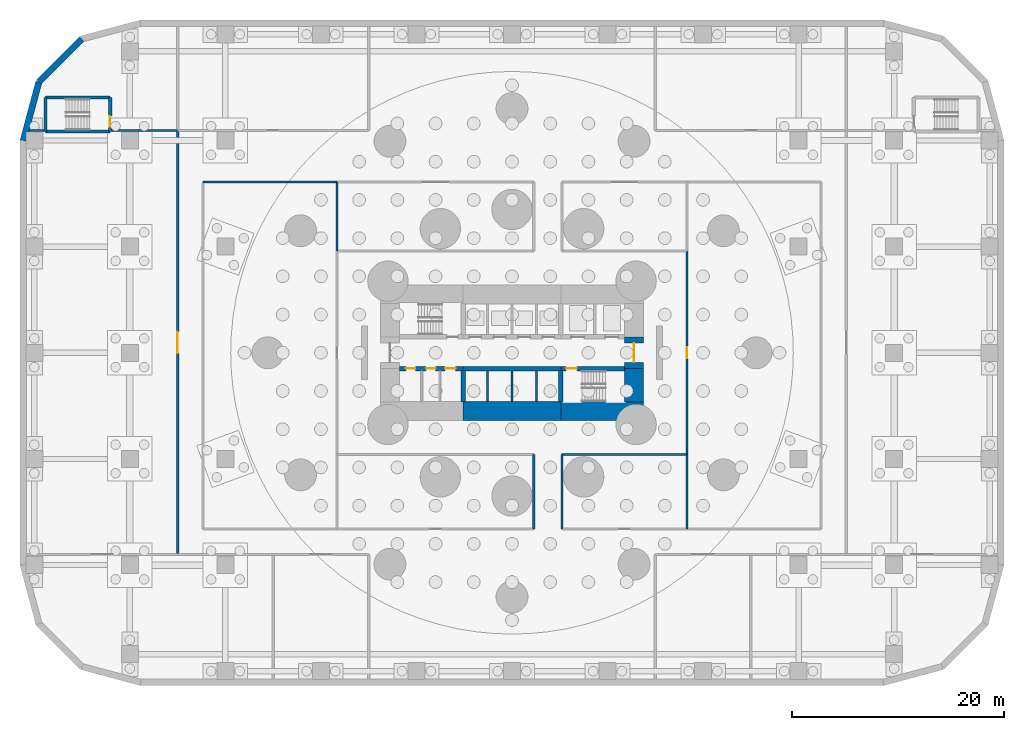
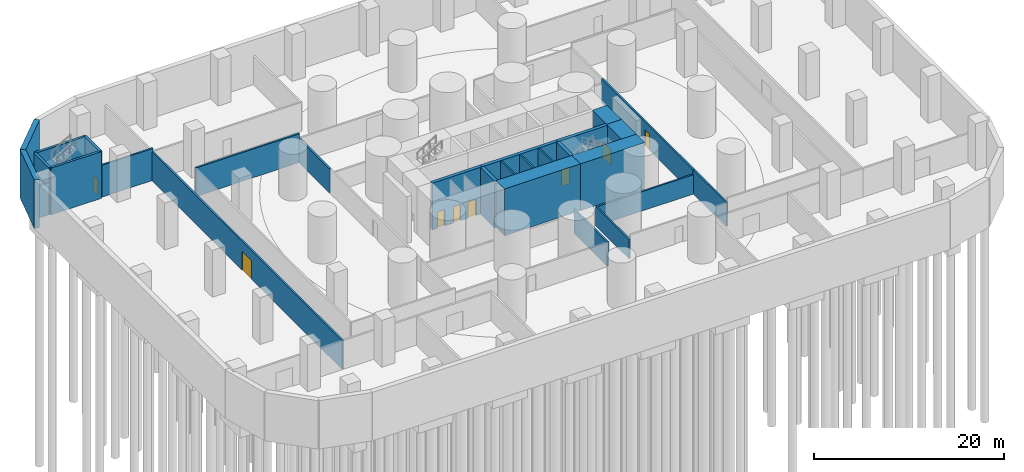
# One storey, part 5 of 10: 28 walls, 8 doors, 8 openings.
"""IFC4 building model written with IfcOpenShell, lengths in metres."""

from ifc_helpers import new_model, si_unit, direction, frame, frame_2d, origin, place, context, subcontext, project, spatial, rectangle, extrude, material, layer, layer_set, type_object, element, fill, save


model = new_model("IFC4")

# Units and contexts
model_context = context("Model", 3, precision=1e-05, world=origin(), true_north=direction((0.0, 1.0)))
body_context = subcontext(model_context, "Body", "Model", "MODEL_VIEW")
ifc_project = project(units=[si_unit("LENGTHUNIT", "METRE"), si_unit("AREAUNIT", "SQUARE_METRE"), si_unit("VOLUMEUNIT", "CUBIC_METRE"), si_unit("PLANEANGLEUNIT", "RADIAN"), si_unit("MASSUNIT", "GRAM", prefix="KILO")], contexts=[model_context])

# Site, building, storey
site_placement = place(None, origin())
site = spatial("IfcSite", under=ifc_project, at=site_placement, CompositionType="ELEMENT")
building_placement = place(site_placement, origin())
building = spatial("IfcBuilding", under=site, at=building_placement, Name="Qaws Media Tower", CompositionType="ELEMENT")
storey_placement = place(building_placement, frame((0.0, 0.0, -6.0)))
storey = spatial("IfcBuildingStorey", under=building, at=storey_placement, Name="B1", CompositionType="ELEMENT", Elevation=-6.0)

# Wall, openings, doors
ifc_material_1 = material(Name="Concrete C60/75", Category="concrete")
ifc_layer_1 = layer(ifc_material_1, 0.39990234375)
ifc_layer_set_1 = layer_set([ifc_layer_1], Name="Core inner wall 400")
wall_type_1 = type_object("IfcWallType", Name="Core inner wall 400", PredefinedType="SHEAR", material=ifc_layer_set_1)
wall_1_placement = place(storey_placement, frame((49.3798828125, 48.5, 0.0), z_axis=(0.0, 0.0, 1.0), x_axis=(1.0, 0.0, 0.0)))
wall_1 = element("IfcWall", 1, at=wall_1_placement, inside=storey, type_object=wall_type_1, Name="W310 SW4 core wall SPSW B1", PredefinedType="SHEAR", context=body_context, shape_type="SweptSolid", body=[
    extrude(rectangle(XDim=6.02001953125, YDim=0.39990234375, at=frame_2d((3.010009765625, 0.0))), origin(), (0.0, 0.0, 1.0), 6.0),
])
opening_1_placement = place(wall_1_placement, frame((0.6201171875, 0.0, 0.0)))
opening_1 = element("IfcOpeningElement", 2, at=opening_1_placement, cuts=wall_1, Name="Opening D3", PredefinedType="OPENING", context=body_context, shape_type="SweptSolid", body=[
    extrude(rectangle(XDim=0.89990234375, YDim=2.10009765625, at=frame_2d((0.449951171875, 1.050048828125))), frame((0.0, 0.2099609375, 0.0), z_axis=(0.0, -1.0, 0.0), x_axis=(1.0, 0.0, 0.0)), (0.0, 0.0, 1.0), 0.419921875),
])
opening_2_placement = place(wall_1_placement, frame((2.52001953125, 0.0, 0.0)))
opening_2 = element("IfcOpeningElement", 3, at=opening_2_placement, cuts=wall_1, Name="Opening D3", PredefinedType="OPENING", context=body_context, shape_type="SweptSolid", body=[
    extrude(rectangle(XDim=0.89990234375, YDim=2.10009765625, at=frame_2d((0.449951171875, 1.050048828125))), frame((0.0, 0.2099609375, 0.0), z_axis=(0.0, -1.0, 0.0), x_axis=(1.0, 0.0, 0.0)), (0.0, 0.0, 1.0), 0.419921875),
])
opening_3_placement = place(wall_1_placement, frame((4.320068359375, 0.0, 0.0)))
opening_3 = element("IfcOpeningElement", 4, at=opening_3_placement, cuts=wall_1, Name="Opening D4", PredefinedType="OPENING", context=body_context, shape_type="SweptSolid", body=[
    extrude(rectangle(XDim=1.0, YDim=2.10009765625, at=frame_2d((0.5, 1.050048828125))), frame((0.0, 0.2099609375, 0.0), z_axis=(0.0, -1.0, 0.0), x_axis=(1.0, 0.0, 0.0)), (0.0, 0.0, 1.0), 0.419921875),
])
ifc_material_2 = material(Name="Timber veneered", Category="wood")
door_type_1 = type_object("IfcDoorType", Name="Accessible WC door 1000", OperationType="SLIDING_TO_LEFT", PredefinedType="DOOR", material=ifc_material_2)
door_1_placement = place(opening_3_placement, origin())
door_1 = element("IfcDoor", 5, at=door_1_placement, inside=storey, type_object=door_type_1, Name="D4 toilet door 3 B1 in wall W310", OperationType="SLIDING_TO_LEFT", OverallHeight=2.10009765625, OverallWidth=1.0, PredefinedType="DOOR", context=body_context, shape_type="SweptSolid", body=[
    extrude(rectangle(XDim=1.0, YDim=2.10009765625, at=frame_2d((0.5, 1.050048828125))), frame((0.0, 0.02490234375, 0.0), z_axis=(0.0, -1.0, 0.0), x_axis=(1.0, 0.0, 0.0)), (0.0, 0.0, 1.0), 0.050048828125),
])
fill(opening_3, door_1)
ifc_material_3 = material(Name="Timber veneered", Category="wood")
door_type_2 = type_object("IfcDoorType", Name="Toilet door 900", OperationType="SINGLE_SWING_RIGHT", PredefinedType="DOOR", material=ifc_material_3)
door_2_placement = place(opening_1_placement, origin())
door_2 = element("IfcDoor", 6, at=door_2_placement, inside=storey, type_object=door_type_2, Name="D3 toilet door 1 B1 in wall W310", OperationType="SINGLE_SWING_RIGHT", OverallHeight=2.10009765625, OverallWidth=0.89990234375, PredefinedType="DOOR", context=body_context, shape_type="SweptSolid", body=[
    extrude(rectangle(XDim=0.89990234375, YDim=2.10009765625, at=frame_2d((0.449951171875, 1.050048828125))), frame((0.0, 0.02490234375, 0.0), z_axis=(0.0, -1.0, 0.0), x_axis=(1.0, 0.0, 0.0)), (0.0, 0.0, 1.0), 0.050048828125),
])
fill(opening_1, door_2)
door_3_placement = place(opening_2_placement, origin())
door_3 = element("IfcDoor", 7, at=door_3_placement, inside=storey, type_object=door_type_2, Name="D3 toilet door 2 B1 in wall W310", OperationType="SINGLE_SWING_RIGHT", OverallHeight=2.10009765625, OverallWidth=0.89990234375, PredefinedType="DOOR", context=body_context, shape_type="SweptSolid", body=[
    extrude(rectangle(XDim=0.89990234375, YDim=2.10009765625, at=frame_2d((0.449951171875, 1.050048828125))), frame((0.0, 0.02490234375, 0.0), z_axis=(0.0, -1.0, 0.0), x_axis=(1.0, 0.0, 0.0)), (0.0, 0.0, 1.0), 0.050048828125),
])
fill(opening_2, door_3)

# Wall
wall_2_placement = place(storey_placement, frame((55.39990234375, 48.5, 0.0), z_axis=(0.0, 0.0, 1.0), x_axis=(1.0, 0.0, 0.0)))
element("IfcWall", 8, at=wall_2_placement, inside=storey, type_object=wall_type_1, Name="W313 SW4 core wall SPS B1", PredefinedType="SHEAR", context=body_context, shape_type="SweptSolid", body=[
    extrude(rectangle(XDim=9.2001953125, YDim=0.39990234375, at=frame_2d((4.60009765625, 0.0))), origin(), (0.0, 0.0, 1.0), 6.0),
])

# Wall, opening, door
wall_3_placement = place(storey_placement, frame((64.60009765625, 48.5, 0.0), z_axis=(0.0, 0.0, 1.0), x_axis=(1.0, 0.0, 0.0)))
wall_3 = element("IfcWall", 9, at=wall_3_placement, inside=storey, type_object=wall_type_1, Name="W317 SW4 core wall SPSE B1", PredefinedType="SHEAR", context=body_context, shape_type="SweptSolid", body=[
    extrude(rectangle(XDim=6.02001953125, YDim=0.39990234375, at=frame_2d((3.010009765625, 0.0))), origin(), (0.0, 0.0, 1.0), 6.0),
])
opening_4_placement = place(wall_3_placement, frame((0.5, 0.0, 0.0)))
opening_4 = element("IfcOpeningElement", 10, at=opening_4_placement, cuts=wall_3, Name="Opening D1", PredefinedType="OPENING", context=body_context, shape_type="SweptSolid", body=[
    extrude(rectangle(XDim=1.0, YDim=2.10009765625, at=frame_2d((0.5, 1.050048828125))), frame((0.0, 0.2099609375, 0.0), z_axis=(0.0, -1.0, 0.0), x_axis=(1.0, 0.0, 0.0)), (0.0, 0.0, 1.0), 0.419921875),
])
ifc_material_4 = material(Name="Steel, fire rated", Category="steel")
door_type_3 = type_object("IfcDoorType", Name="Stair door 1000 FD120", OperationType="SINGLE_SWING_LEFT", PredefinedType="DOOR", material=ifc_material_4)
door_4_placement = place(opening_4_placement, origin())
door_4 = element("IfcDoor", 11, at=door_4_placement, inside=storey, type_object=door_type_3, Name="D1 stair S2 door B1 in wall W317", OperationType="SINGLE_SWING_LEFT", OverallHeight=2.10009765625, OverallWidth=1.0, PredefinedType="DOOR", context=body_context, shape_type="SweptSolid", body=[
    extrude(rectangle(XDim=1.0, YDim=2.10009765625, at=frame_2d((0.5, 1.050048828125))), frame((0.0, 0.02490234375, 0.0), z_axis=(0.0, -1.0, 0.0), x_axis=(1.0, 0.0, 0.0)), (0.0, 0.0, 1.0), 0.050048828125),
])
fill(opening_4, door_4)

# Walls
for number, where, z_axis, x_axis, name in (
    (12, (55.39990234375, 48.320068359375, 0.0), (0.0, 0.0, 1.0), (0.0, -1.0, 0.0), "W312 SW4 core wall XSW B1"),
    (13, (64.60009765625, 48.320068359375, 0.0), (0.0, 0.0, 1.0), (0.0, -1.0, 0.0), "W316 SW4 core wall XSE B1"),
):
    element("IfcWall", number, at=place(storey_placement, frame(where, z_axis=z_axis, x_axis=x_axis)), inside=storey, type_object=wall_type_1, Name=name, PredefinedType="SHEAR", context=body_context, shape_type="SweptSolid", body=[
        extrude(rectangle(XDim=2.940185546875, YDim=0.39990234375, at=frame_2d((1.47021484375, 0.0))), origin(), (0.0, 0.0, 1.0), 6.0),
    ])
ifc_material_5 = material(Name="Concrete C60/75", Category="concrete")
ifc_layer_2 = layer(ifc_material_5, 1.800048828125)
ifc_layer_set_2 = layer_set([ifc_layer_2], Name="Core wall 1800")
wall_type_2 = type_object("IfcWallType", Name="Core wall 1800", PredefinedType="SHEAR", material=ifc_layer_set_2)
wall_4_placement = place(storey_placement, frame((55.39990234375, 44.5, 0.0), z_axis=(0.0, 0.0, 1.0), x_axis=(1.0, 0.0, 0.0)))
element("IfcWall", 14, at=wall_4_placement, inside=storey, type_object=wall_type_2, Name="W403 SW11 core wall S B1", PredefinedType="SHEAR", context=body_context, shape_type="SweptSolid", body=[
    extrude(rectangle(XDim=9.2001953125, YDim=1.800048828125, at=frame_2d((4.60009765625, 0.0))), origin(), (0.0, 0.0, 1.0), 6.0),
])
wall_5_placement = place(storey_placement, frame((64.60009765625, 44.5, 0.0), z_axis=(0.0, 0.0, 1.0), x_axis=(1.0, 0.0, 0.0)))
element("IfcWall", 15, at=wall_5_placement, inside=storey, type_object=wall_type_2, Name="W405 SW11 core wall SE B1", PredefinedType="SHEAR", context=body_context, shape_type="SweptSolid", body=[
    extrude(rectangle(XDim=7.7998046875, YDim=1.800048828125, at=frame_2d((3.89990234375, 0.0))), origin(), (0.0, 0.0, 1.0), 6.0),
])
wall_6_placement = place(storey_placement, frame((71.5, 45.3798828125, 0.0), z_axis=(0.0, 0.0, 1.0), x_axis=(0.0, 1.0, 0.0)))
element("IfcWall", 16, at=wall_6_placement, inside=storey, type_object=wall_type_2, Name="W407 SW11 core wall ES B1", PredefinedType="SHEAR", context=body_context, shape_type="SweptSolid", body=[
    extrude(rectangle(XDim=3.1201171875, YDim=1.800048828125, at=frame_2d((1.56005859375, 0.0))), origin(), (0.0, 0.0, 1.0), 6.0),
])

# Wall, opening, door
wall_7_placement = place(storey_placement, frame((71.5, 48.5, 0.0), z_axis=(0.0, 0.0, 1.0), x_axis=(0.0, 1.0, 0.0)))
wall_7 = element("IfcWall", 17, at=wall_7_placement, inside=storey, type_object=wall_type_2, Name="W408 SW11 core wall E B1", PredefinedType="SHEAR", context=body_context, shape_type="SweptSolid", body=[
    extrude(rectangle(XDim=3.0, YDim=1.800048828125, at=frame_2d((1.5, 0.0))), origin(), (0.0, 0.0, 1.0), 6.0),
])
opening_5_placement = place(wall_7_placement, frame((0.60009765625, 0.0, 0.0)))
opening_5 = element("IfcOpeningElement", 18, at=opening_5_placement, cuts=wall_7, Name="Opening D2", PredefinedType="OPENING", context=body_context, shape_type="SweptSolid", body=[
    extrude(rectangle(XDim=1.800048828125, YDim=2.10009765625, at=frame_2d((0.89990234375, 1.050048828125))), frame((0.0, 0.909912109375, 0.0), z_axis=(0.0, -1.0, 0.0), x_axis=(1.0, 0.0, 0.0)), (0.0, 0.0, 1.0), 1.820068359375),
])
ifc_material_6 = material(Name="Steel and glass, fire rated", Category="steel")
door_type_4 = type_object("IfcDoorType", Name="Lobby door pair 1800 FD60", OperationType="DOUBLE_DOOR_DOUBLE_SWING", PredefinedType="DOOR", material=ifc_material_6)
door_5_placement = place(opening_5_placement, origin())
door_5 = element("IfcDoor", 19, at=door_5_placement, inside=storey, type_object=door_type_4, Name="D2 core lobby door E B1 in wall W408", OperationType="DOUBLE_DOOR_DOUBLE_SWING", OverallHeight=2.10009765625, OverallWidth=1.800048828125, PredefinedType="DOOR", context=body_context, shape_type="SweptSolid", body=[
    extrude(rectangle(XDim=1.800048828125, YDim=2.10009765625, at=frame_2d((0.89990234375, 1.050048828125))), frame((0.0, 0.02490234375, 0.0), z_axis=(0.0, -1.0, 0.0), x_axis=(1.0, 0.0, 0.0)), (0.0, 0.0, 1.0), 0.050048828125),
])
fill(opening_5, door_5)

ifc_material_7 = material(Name="215 dense concrete blockwork, fair faced", Category="masonry")
ifc_layer_3 = layer(ifc_material_7, 0.215087890625)
ifc_layer_set_3 = layer_set([ifc_layer_3], Name="Plant room blockwork wall 215")
wall_type_3 = type_object("IfcWallType", Name="Plant room blockwork wall 215", PredefinedType="PARTITIONING", material=ifc_layer_set_3)
wall_8_placement = place(storey_placement, frame((28.5, 31.0, 0.0), z_axis=(0.0, 0.0, 1.0), x_axis=(0.0, 1.0, 0.0)))
wall_8 = element("IfcWall", 20, at=wall_8_placement, inside=storey, type_object=wall_type_3, Name="W733 IW7 partition B1", PredefinedType="PARTITIONING", context=body_context, shape_type="SweptSolid", body=[
    extrude(rectangle(XDim=39.949951171875, YDim=0.215087890625, at=frame_2d((19.97509765625, 0.0))), origin(), (0.0, 0.0, 1.0), 3.679931640625),
])
opening_6_placement = place(wall_8_placement, frame((18.97509765625, 0.0, 0.0)))
opening_6 = element("IfcOpeningElement", 21, at=opening_6_placement, cuts=wall_8, Name="Opening D19", PredefinedType="OPENING", context=body_context, shape_type="SweptSolid", body=[
    extrude(rectangle(XDim=2.0, YDim=2.39990234375, at=frame_2d((1.0, 1.199951171875))), frame((0.0, 0.117431640625, 0.0), z_axis=(0.0, -1.0, 0.0), x_axis=(1.0, 0.0, 0.0)), (0.0, 0.0, 1.0), 0.235107421875),
])
ifc_material_8 = material(Name="Steel, fire rated, louvred", Category="steel")
door_type_5 = type_object("IfcDoorType", Name="Plant room door pair 2000x2400", OperationType="DOUBLE_DOOR_DOUBLE_SWING", PredefinedType="DOOR", material=ifc_material_8)
door_6_placement = place(opening_6_placement, origin())
door_6 = element("IfcDoor", 22, at=door_6_placement, inside=storey, type_object=door_type_5, Name="D19 Chilled water plant room door in wall W733", OperationType="DOUBLE_DOOR_DOUBLE_SWING", OverallHeight=2.39990234375, OverallWidth=2.0, PredefinedType="DOOR", context=body_context, shape_type="SweptSolid", body=[
    extrude(rectangle(XDim=2.0, YDim=2.39990234375, at=frame_2d((1.0, 1.199951171875))), frame((0.0, 0.02490234375, 0.0), z_axis=(0.0, -1.0, 0.0), x_axis=(1.0, 0.0, 0.0)), (0.0, 0.0, 1.0), 0.050048828125),
])
fill(opening_6, door_6)

# Walls
ifc_material_9 = material(Name="Concrete C60/75", Category="concrete")
ifc_layer_4 = layer(ifc_material_9, 0.60009765625)
ifc_layer_set_4 = layer_set([ifc_layer_4], Name="Retaining wall 600")
wall_type_4 = type_object("IfcWallType", Name="Retaining wall 600", PredefinedType="SOLIDWALL", material=ifc_layer_set_4)
wall_9_placement = place(storey_placement, frame((19.47509765625, 79.569580078125, -0.5), z_axis=(0.0, 0.0, 1.0), x_axis=(-0.707106781187, -0.707106781187, 0.0)))
element("IfcWall", 23, at=wall_9_placement, inside=storey, type_object=wall_type_4, Name="W800 RW1 retaining wall 10", PredefinedType="SOLIDWALL", context=body_context, shape_type="SweptSolid", body=[
    extrude(rectangle(XDim=5.719970703125, YDim=0.60009765625, at=frame_2d((2.85986328125, 0.0))), origin(), (0.0, 0.0, 1.0), 6.199951171875),
])
wall_10_placement = place(storey_placement, frame((15.430419921875, 75.52490234375, -0.5), z_axis=(0.0, 0.0, 1.0), x_axis=(-0.258831381584, -0.965922520654, 0.0)))
element("IfcWall", 24, at=wall_10_placement, inside=storey, type_object=wall_type_4, Name="W798 RW1 retaining wall 11", PredefinedType="SOLIDWALL", context=body_context, shape_type="SweptSolid", body=[
    extrude(rectangle(XDim=5.7197265625, YDim=0.60009765625, at=frame_2d((2.85986328125, 0.0))), origin(), (0.0, 0.0, 1.0), 6.199951171875),
])
ifc_material_10 = material(Name="Gypsum board on galvanised metal studs, acoustic double stud, deflection head", Category="gypsum")
ifc_layer_5 = layer(ifc_material_10, 0.199951171875)
ifc_layer_set_5 = layer_set([ifc_layer_5], Name="Room partition 200")
wall_type_5 = type_object("IfcWallType", Name="Room partition 200", PredefinedType="PARTITIONING", material=ifc_layer_set_5)
wall_11_placement = place(storey_placement, frame((43.5, 59.60009765625, 0.0), z_axis=(0.0, 0.0, 1.0), x_axis=(0.0, 1.0, 0.0)))
element("IfcWall", 25, at=wall_11_placement, inside=storey, type_object=wall_type_5, Name="W821 IW3 partition B1", PredefinedType="PARTITIONING", context=body_context, shape_type="SweptSolid", body=[
    extrude(rectangle(XDim=6.5, YDim=0.199951171875, at=frame_2d((3.25, 0.0))), origin(), (0.0, 0.0, 1.0), 3.080078125),
])
wall_12_placement = place(storey_placement, frame((62.050048828125, 33.39990234375, 0.0), z_axis=(0.0, 0.0, 1.0), x_axis=(0.0, 1.0, 0.0)))
element("IfcWall", 26, at=wall_12_placement, inside=storey, type_object=wall_type_5, Name="W824 IW3 partition B1", PredefinedType="PARTITIONING", context=body_context, shape_type="SweptSolid", body=[
    extrude(rectangle(XDim=7.0, YDim=0.199951171875, at=frame_2d((3.5, 0.0))), origin(), (0.0, 0.0, 1.0), 3.080078125),
])
wall_13_placement = place(storey_placement, frame((64.699951171875, 33.39990234375, 0.0), z_axis=(0.0, 0.0, 1.0), x_axis=(0.0, 1.0, 0.0)))
element("IfcWall", 27, at=wall_13_placement, inside=storey, type_object=wall_type_5, Name="W826 IW3 partition B1", PredefinedType="PARTITIONING", context=body_context, shape_type="SweptSolid", body=[
    extrude(rectangle(XDim=7.0, YDim=0.199951171875, at=frame_2d((3.5, 0.0))), origin(), (0.0, 0.0, 1.0), 2.47998046875),
])
wall_14_placement = place(storey_placement, frame((76.5, 33.39990234375, 0.0), z_axis=(0.0, 0.0, 1.0), x_axis=(0.0, 1.0, 0.0)))
element("IfcWall", 28, at=wall_14_placement, inside=storey, type_object=wall_type_5, Name="W833 IW3 partition B1", PredefinedType="PARTITIONING", context=body_context, shape_type="SweptSolid", body=[
    extrude(rectangle(XDim=7.0, YDim=0.199951171875, at=frame_2d((3.5, 0.0))), origin(), (0.0, 0.0, 1.0), 3.080078125),
])

# Wall, opening, door
wall_15_placement = place(storey_placement, frame((76.5, 40.39990234375, 0.0), z_axis=(0.0, 0.0, 1.0), x_axis=(0.0, 1.0, 0.0)))
wall_15 = element("IfcWall", 29, at=wall_15_placement, inside=storey, type_object=wall_type_5, Name="W835 IW3 partition B1", PredefinedType="PARTITIONING", context=body_context, shape_type="SweptSolid", body=[
    extrude(rectangle(XDim=19.2001953125, YDim=0.199951171875, at=frame_2d((9.60009765625, 0.0))), origin(), (0.0, 0.0, 1.0), 3.080078125),
])
opening_7_placement = place(wall_15_placement, frame((9.10009765625, 0.0, 0.0)))
opening_7 = element("IfcOpeningElement", 30, at=opening_7_placement, cuts=wall_15, Name="Opening D5", PredefinedType="OPENING", context=body_context, shape_type="SweptSolid", body=[
    extrude(rectangle(XDim=1.0, YDim=2.10009765625, at=frame_2d((0.5, 1.050048828125))), frame((0.0, 0.10986328125, 0.0), z_axis=(0.0, -1.0, 0.0), x_axis=(1.0, 0.0, 0.0)), (0.0, 0.0, 1.0), 0.219970703125),
])
ifc_material_11 = material(Name="Timber veneered, acoustic seal", Category="wood")
door_type_6 = type_object("IfcDoorType", Name="Room door 1000", OperationType="SINGLE_SWING_LEFT", PredefinedType="DOOR", material=ifc_material_11)
door_7_placement = place(opening_7_placement, origin())
door_7 = element("IfcDoor", 31, at=door_7_placement, inside=storey, type_object=door_type_6, Name="D5 Media archive door in wall W835", OperationType="SINGLE_SWING_LEFT", OverallHeight=2.10009765625, OverallWidth=1.0, PredefinedType="DOOR", context=body_context, shape_type="SweptSolid", body=[
    extrude(rectangle(XDim=1.0, YDim=2.10009765625, at=frame_2d((0.5, 1.050048828125))), frame((0.0, 0.02490234375, 0.0), z_axis=(0.0, -1.0, 0.0), x_axis=(1.0, 0.0, 0.0)), (0.0, 0.0, 1.0), 0.050048828125),
])
fill(opening_7, door_7)

# Walls
wall_16_placement = place(storey_placement, frame((64.699951171875, 40.39990234375, 0.0), z_axis=(0.0, 0.0, 1.0), x_axis=(1.0, 0.0, 0.0)))
element("IfcWall", 32, at=wall_16_placement, inside=storey, type_object=wall_type_5, Name="W828 IW3 partition B1", PredefinedType="PARTITIONING", context=body_context, shape_type="SweptSolid", body=[
    extrude(rectangle(XDim=11.800048828125, YDim=0.199951171875, at=frame_2d((5.89990234375, 0.0))), origin(), (0.0, 0.0, 1.0), 2.47998046875),
])
wall_17_placement = place(storey_placement, frame((30.89990234375, 66.10009765625, 0.0), z_axis=(0.0, 0.0, 1.0), x_axis=(1.0, 0.0, 0.0)))
element("IfcWall", 33, at=wall_17_placement, inside=storey, type_object=wall_type_5, Name="W816 IW3 partition B1", PredefinedType="PARTITIONING", context=body_context, shape_type="SweptSolid", body=[
    extrude(rectangle(XDim=12.60009765625, YDim=0.199951171875, at=frame_2d((6.300048828125, 0.0))), origin(), (0.0, 0.0, 1.0), 3.679931640625),
])
wall_18_placement = place(storey_placement, frame((14.520263671875, 70.949951171875, 0.0), z_axis=(0.0, 0.0, 1.0), x_axis=(1.0, 0.0, 0.0)))
element("IfcWall", 34, at=wall_18_placement, inside=storey, type_object=wall_type_5, Name="W811 IW3 partition B1", PredefinedType="PARTITIONING", context=body_context, shape_type="SweptSolid", body=[
    extrude(rectangle(XDim=1.379638671875, YDim=0.199951171875, at=frame_2d((0.68994140625, 0.0))), origin(), (0.0, 0.0, 1.0), 4.10009765625),
])
wall_19_placement = place(storey_placement, frame((22.300048828125, 70.949951171875, 0.0), z_axis=(0.0, 0.0, 1.0), x_axis=(1.0, 0.0, 0.0)))
element("IfcWall", 35, at=wall_19_placement, inside=storey, type_object=wall_type_5, Name="W812 IW3 partition B1", PredefinedType="PARTITIONING", context=body_context, shape_type="SweptSolid", body=[
    extrude(rectangle(XDim=6.199951171875, YDim=0.199951171875, at=frame_2d((3.10009765625, 0.0))), origin(), (0.0, 0.0, 1.0), 4.10009765625),
])
ifc_material_12 = material(Name="Fire-rated gypsum board shaft wall on galvanised metal studs, deflection head", Category="gypsum")
ifc_layer_6 = layer(ifc_material_12, 0.199951171875)
ifc_layer_set_6 = layer_set([ifc_layer_6], Name="Shaft wall 200")
wall_type_6 = type_object("IfcWallType", Name="Shaft wall 200", PredefinedType="PARTITIONING", material=ifc_layer_set_6)
for number, where, z_axis, x_axis, name in (
    (36, (57.699951171875, 45.39990234375, 0.0), (0.0, 0.0, 1.0), (0.0, 1.0, 0.0), "W1835 IW1 shaft wall S1 B1"),
    (37, (60.0, 45.39990234375, 0.0), (0.0, 0.0, 1.0), (0.0, 1.0, 0.0), "W1837 IW1 shaft wall S2 B1"),
    (38, (62.300048828125, 45.39990234375, 0.0), (0.0, 0.0, 1.0), (0.0, 1.0, 0.0), "W1839 IW1 shaft wall S3 B1"),
):
    element("IfcWall", number, at=place(storey_placement, frame(where, z_axis=z_axis, x_axis=x_axis)), inside=storey, type_object=wall_type_6, Name=name, PredefinedType="PARTITIONING", context=body_context, shape_type="SweptSolid", body=[
        extrude(rectangle(XDim=2.900146484375, YDim=0.199951171875, at=frame_2d((1.4501953125, 0.0))), origin(), (0.0, 0.0, 1.0), 6.0),
    ])
ifc_material_13 = material(Name="Concrete C60/75", Category="concrete")
ifc_layer_7 = layer(ifc_material_13, 0.300048828125)
ifc_layer_set_7 = layer_set([ifc_layer_7], Name="Stair enclosure wall 300")
wall_type_7 = type_object("IfcWallType", Name="Stair enclosure wall 300", PredefinedType="SHEAR", material=ifc_layer_set_7)
for number, where, z_axis, x_axis, name in (
    (39, (16.050048828125, 70.85009765625, 0.0), (0.0, 0.0, 1.0), (1.0, 0.0, 0.0), "W1883 SW7 stair S3 enclosure S B1"),
    (40, (16.050048828125, 74.050048828125, 0.0), (0.0, 0.0, 1.0), (1.0, 0.0, 0.0), "W1884 SW7 stair S3 enclosure N B1"),
):
    element("IfcWall", number, at=place(storey_placement, frame(where, z_axis=z_axis, x_axis=x_axis)), inside=storey, type_object=wall_type_7, Name=name, PredefinedType="SHEAR", context=body_context, shape_type="SweptSolid", body=[
        extrude(rectangle(XDim=6.099853515625, YDim=0.300048828125, at=frame_2d((3.0498046875, 0.0))), origin(), (0.0, 0.0, 1.0), 6.0),
    ])
wall_20_placement = place(storey_placement, frame((16.050048828125, 70.85009765625, 0.0), z_axis=(0.0, 0.0, 1.0), x_axis=(0.0, 1.0, 0.0)))
element("IfcWall", 41, at=wall_20_placement, inside=storey, type_object=wall_type_7, Name="W1882 SW7 stair S3 enclosure W B1", PredefinedType="SHEAR", context=body_context, shape_type="SweptSolid", body=[
    extrude(rectangle(XDim=3.199951171875, YDim=0.300048828125, at=frame_2d((1.60009765625, 0.0))), origin(), (0.0, 0.0, 1.0), 6.0),
])

# Wall, opening, door
wall_21_placement = place(storey_placement, frame((22.14990234375, 70.85009765625, 0.0), z_axis=(0.0, 0.0, 1.0), x_axis=(0.0, 1.0, 0.0)))
wall_21 = element("IfcWall", 42, at=wall_21_placement, inside=storey, type_object=wall_type_7, Name="W1885 SW7 stair S3 enclosure E B1", PredefinedType="SHEAR", context=body_context, shape_type="SweptSolid", body=[
    extrude(rectangle(XDim=3.199951171875, YDim=0.300048828125, at=frame_2d((1.60009765625, 0.0))), origin(), (0.0, 0.0, 1.0), 6.0),
])
opening_8_placement = place(wall_21_placement, frame((0.449951171875, 0.0, 0.0)))
opening_8 = element("IfcOpeningElement", 43, at=opening_8_placement, cuts=wall_21, Name="Opening D1", PredefinedType="OPENING", context=body_context, shape_type="SweptSolid", body=[
    extrude(rectangle(XDim=1.0, YDim=2.10009765625, at=frame_2d((0.5, 1.050048828125))), frame((0.0, 0.159912109375, 0.0), z_axis=(0.0, -1.0, 0.0), x_axis=(1.0, 0.0, 0.0)), (0.0, 0.0, 1.0), 0.320068359375),
])
door_8_placement = place(opening_8_placement, origin())
door_8 = element("IfcDoor", 44, at=door_8_placement, inside=storey, type_object=door_type_3, Name="D1 stair S3 door B1 in wall W1885", OperationType="SINGLE_SWING_LEFT", OverallHeight=2.10009765625, OverallWidth=1.0, PredefinedType="DOOR", context=body_context, shape_type="SweptSolid", body=[
    extrude(rectangle(XDim=1.0, YDim=2.10009765625, at=frame_2d((0.5, 1.050048828125))), frame((0.0, 0.02490234375, 0.0), z_axis=(0.0, -1.0, 0.0), x_axis=(1.0, 0.0, 0.0)), (0.0, 0.0, 1.0), 0.050048828125),
])
fill(opening_8, door_8)

save(model, "model.ifc")
